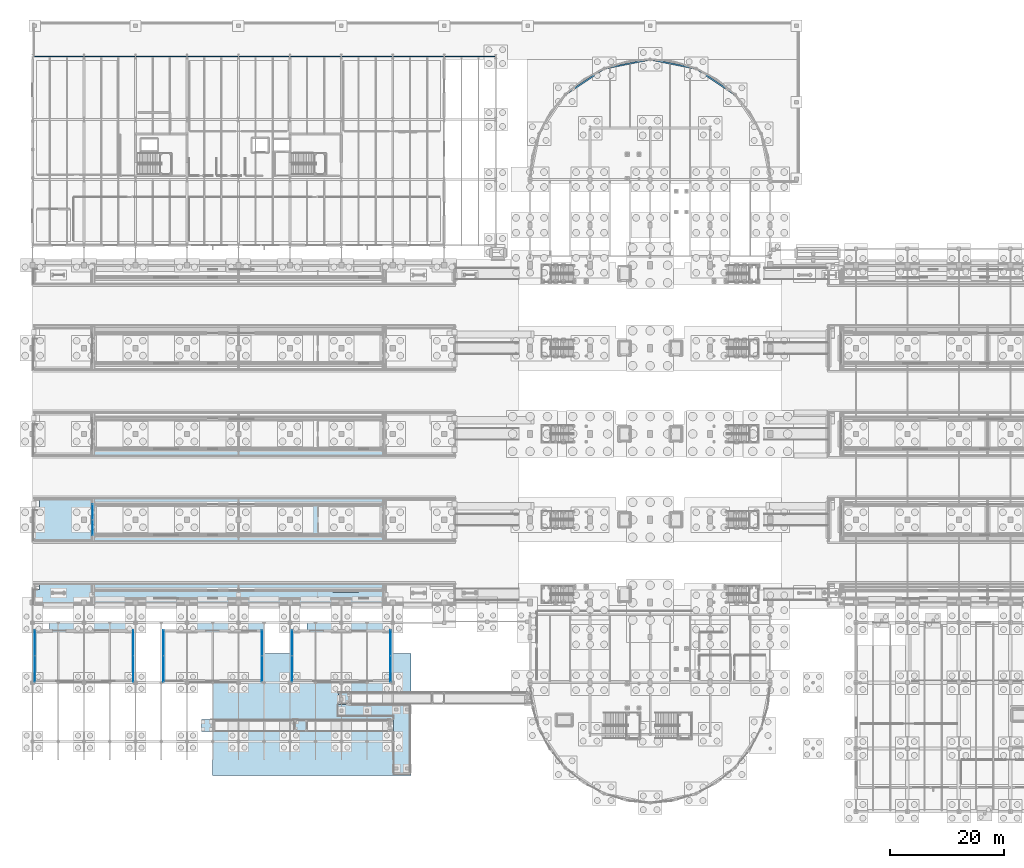
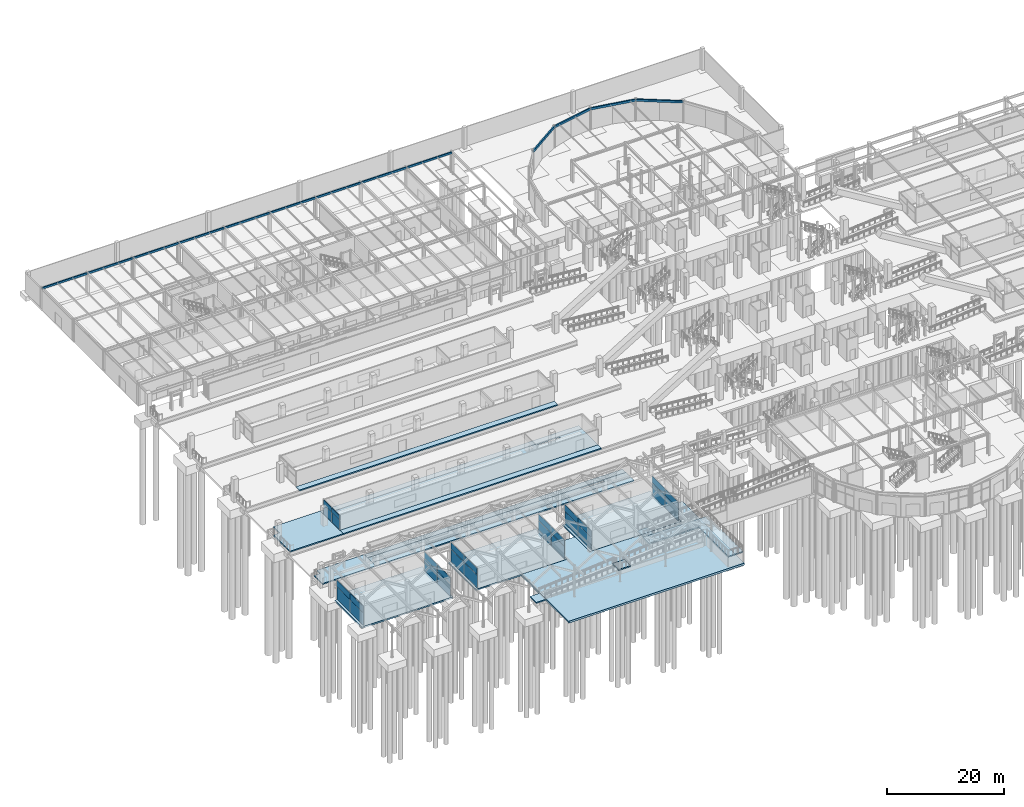
# One storey, part 91 of 160: 28 plates, 17 slabs, 13 beams, 9 elements without a shape of their own.
"""IFC4 building model written with IfcOpenShell, lengths in metres."""

from ifc_helpers import new_model, si_unit, direction, frame, origin, origin_2d, place, context, subcontext, project, spatial, polyline, rectangle, hollow_rectangle, outline, extrude, material, layer, layer_set, material_profile, profile_set, type_object, element, aggregate, save


model = new_model("IFC4")

# Units and contexts
model_context = context("Model", 3, precision=1e-05, world=origin(), true_north=direction((0.0, 1.0)))
body_context = subcontext(model_context, "Body", "Model", "MODEL_VIEW")
ifc_project = project(units=[si_unit("LENGTHUNIT", "METRE"), si_unit("AREAUNIT", "SQUARE_METRE"), si_unit("VOLUMEUNIT", "CUBIC_METRE"), si_unit("PLANEANGLEUNIT", "RADIAN"), si_unit("MASSUNIT", "GRAM", prefix="KILO")], contexts=[model_context])

# Site, building, storey
site_placement = place(None, origin())
site = spatial("IfcSite", under=ifc_project, at=site_placement, CompositionType="ELEMENT")
building_placement = place(site_placement, origin())
building = spatial("IfcBuilding", under=site, at=building_placement, Name="Marlcrest Central Station", CompositionType="ELEMENT")
storey_placement = place(building_placement, origin())
storey = spatial("IfcBuildingStorey", under=building, at=storey_placement, Name="L00", CompositionType="ELEMENT", Elevation=0.0)

# Beams
ifc_material_1 = material(Name="Steel S355", Category="steel")
ifc_material_profile_1 = material_profile(ifc_material_1, hollow_rectangle(XDim=0.199951171875, YDim=0.39990234375, WallThickness=0.01611328125, at=origin_2d()), Name="RHS 400x200x16")
ifc_profile_set_1 = profile_set([ifc_material_profile_1], Name="Steel S355")
beam_type_1 = type_object("IfcBeamType", Name="SP-01", PredefinedType="SPANDREL", material=ifc_profile_set_1)
for number, where, z_axis, x_axis, name in (
    (1, (0.050048828125, 132.0, 4.320068359375), (1.0, 0.0, 0.0), (0.0, 1.0, 0.0), "bm-SP-01-L00-00132"),
    (2, (9.050048828125, 132.0, 4.320068359375), (1.0, 0.0, 0.0), (0.0, 1.0, 0.0), "bm-SP-01-L00-00133"),
    (3, (18.050048828125, 132.0, 4.320068359375), (1.0, 0.0, 0.0), (0.0, 1.0, 0.0), "bm-SP-01-L00-00134"),
    (4, (27.050048828125, 132.0, 4.320068359375), (1.0, 0.0, 0.0), (0.0, 1.0, 0.0), "bm-SP-01-L00-00135"),
    (5, (36.050048828125, 132.0, 4.320068359375), (1.0, 0.0, 0.0), (0.0, 1.0, 0.0), "bm-SP-01-L00-00136"),
    (6, (45.050048828125, 132.0, 4.320068359375), (1.0, 0.0, 0.0), (0.0, 1.0, 0.0), "bm-SP-01-L00-00137"),
    (7, (54.050048828125, 132.0, 4.320068359375), (1.0, 0.0, 0.0), (0.0, 1.0, 0.0), "bm-SP-01-L00-00138"),
    (8, (63.050048828125, 132.0, 4.320068359375), (1.0, 0.0, 0.0), (0.0, 1.0, 0.0), "bm-SP-01-L00-00139"),
    (9, (72.050048828125, 132.0, 4.320068359375), (1.0, 0.0, 0.0), (0.0, 1.0, 0.0), "bm-SP-01-L00-00218"),
):
    element("IfcBeam", number, at=place(storey_placement, frame(where, z_axis=z_axis, x_axis=x_axis)), inside=storey, type_object=beam_type_1, Name=name, PredefinedType="SPANDREL", context=body_context, shape_type="SweptSolid", body=[
        extrude(hollow_rectangle(XDim=0.199951171875, YDim=0.39990234375, WallThickness=0.01611328125, at=origin_2d()), origin(), (0.0, 0.0, 1.0), 8.89990234375),
    ])
ifc_material_profile_2 = material_profile(ifc_material_1, hollow_rectangle(XDim=0.25, YDim=0.449951171875, WallThickness=0.01611328125, at=origin_2d()), Name="RHS 450x250x16")
ifc_profile_set_2 = profile_set([ifc_material_profile_2], Name="Steel S355")
beam_type_2 = type_object("IfcBeamType", Name="SP-02", PredefinedType="SPANDREL", material=ifc_profile_set_2)
beam_1_placement = place(storey_placement, frame((93.15087890625, 125.34912109375, 4.294921875), z_axis=(0.831508991937, 0.55551129271, 0.0), x_axis=(-0.55551129271, 0.831508991937, 0.0)))
element("IfcBeam", 10, at=beam_1_placement, inside=storey, type_object=beam_type_2, Name="bm-SP-02-L00-01420", PredefinedType="SPANDREL", context=body_context, shape_type="SweptSolid", body=[
    extrude(hollow_rectangle(XDim=0.25, YDim=0.449951171875, WallThickness=0.01611328125, at=origin_2d()), origin(), (0.0, 0.0, 1.0), 8.19384765625),
])
for number, where, z_axis, x_axis, name in (
    (11, (99.964111328125, 129.90087890625, 4.294921875), (0.980769316421, 0.19517056122, 0.0), (-0.19517056122, 0.980769316421, 0.0), "bm-SP-02-L00-01421"),
    (12, (108.0, 131.5, 4.294921875), (0.980769316421, -0.19517056122, 0.0), (0.19517056122, 0.980769316421, 0.0), "bm-SP-02-L00-01422"),
):
    element("IfcBeam", number, at=place(storey_placement, frame(where, z_axis=z_axis, x_axis=x_axis)), inside=storey, type_object=beam_type_2, Name=name, PredefinedType="SPANDREL", context=body_context, shape_type="SweptSolid", body=[
        extrude(hollow_rectangle(XDim=0.25, YDim=0.449951171875, WallThickness=0.01611328125, at=origin_2d()), origin(), (0.0, 0.0, 1.0), 8.193359375),
    ])
beam_2_placement = place(storey_placement, frame((116.035888671875, 129.90087890625, 4.294921875), z_axis=(0.831508991937, -0.55551129271, 0.0), x_axis=(0.55551129271, 0.831508991937, 0.0)))
element("IfcBeam", 13, at=beam_2_placement, inside=storey, type_object=beam_type_2, Name="bm-SP-02-L00-01423", PredefinedType="SPANDREL", context=body_context, shape_type="SweptSolid", body=[
    extrude(hollow_rectangle(XDim=0.25, YDim=0.449951171875, WallThickness=0.01611328125, at=origin_2d()), origin(), (0.0, 0.0, 1.0), 8.19384765625),
])

# Slabs
ifc_material_2 = material(Name="Concrete C35/45", Category="concrete")
ifc_layer_1 = layer(ifc_material_2, 0.39990234375, Name="BS-02")
ifc_layer_set_1 = layer_set([ifc_layer_1], Name="Concrete C35/45")
slab_type_1 = type_object("IfcSlabType", Name="BS-02", PredefinedType="BASESLAB", material=ifc_layer_set_1)
slab_1_placement = place(storey_placement, frame((0.0, 0.0, -0.39990234375)))
element("IfcSlab", 14, at=slab_1_placement, inside=storey, type_object=slab_type_1, Name="slab-L00-0028", PredefinedType="BASESLAB", context=body_context, shape_type="SweptSolid", body=[
    extrude(outline(polyline([(66.199951171875, 27.60009765625), (66.199951171875, 6.300048828125), (31.5, 6.300048828125), (31.5, 22.5), (40.5, 22.5), (40.5, 27.60009765625), (45.0, 27.60009765625), (45.0, 22.5), (63.0, 22.5), (63.0, 27.60009765625), (66.199951171875, 27.60009765625)])), origin(), (0.0, 0.0, 1.0), 0.39990234375),
])
ifc_layer_2 = layer(ifc_material_2, 0.300048828125, Name="BS-03")
ifc_layer_set_2 = layer_set([ifc_layer_2], Name="Concrete C35/45")
slab_type_2 = type_object("IfcSlabType", Name="BS-03", PredefinedType="BASESLAB", material=ifc_layer_set_2)
slab_2_placement = place(storey_placement, frame((0.0, 0.0, -0.300048828125)))
element("IfcSlab", 15, at=slab_2_placement, inside=storey, type_object=slab_type_2, Name="slab-L00-0018", PredefinedType="BASESLAB", context=body_context, shape_type="SweptSolid", body=[
    extrude(outline(polyline([(0.0, 22.5), (18.0, 22.5), (18.0, 33.0), (3.0, 33.0), (3.0, 31.800048828125), (0.0, 31.800048828125), (0.0, 22.5)])), origin(), (0.0, 0.0, 1.0), 0.300048828125),
])
slab_3_placement = place(storey_placement, frame((0.0, 0.0, -0.300048828125)))
element("IfcSlab", 16, at=slab_3_placement, inside=storey, type_object=slab_type_2, Name="slab-L00-0019", PredefinedType="BASESLAB", context=body_context, shape_type="SweptSolid", body=[
    extrude(outline(polyline([(22.5, 22.5), (40.5, 22.5), (40.5, 33.0), (25.5, 33.0), (25.5, 31.800048828125), (22.5, 31.800048828125), (22.5, 22.5)])), origin(), (0.0, 0.0, 1.0), 0.300048828125),
])
slab_4_placement = place(storey_placement, frame((0.0, 0.0, -0.300048828125)))
element("IfcSlab", 17, at=slab_4_placement, inside=storey, type_object=slab_type_2, Name="slab-L00-0020", PredefinedType="BASESLAB", context=body_context, shape_type="SweptSolid", body=[
    extrude(outline(polyline([(45.0, 22.5), (63.0, 22.5), (63.0, 33.0), (48.0, 33.0), (48.0, 31.800048828125), (45.0, 31.800048828125), (45.0, 22.5)])), origin(), (0.0, 0.0, 1.0), 0.300048828125),
])

# Curtain wall, plates
ifc_material_3 = material(Name="Anodised aluminium and hurricane laminated glass", Category="aluminium")
ifc_layer_3 = layer(ifc_material_3, 0.179931640625, Name="CW-S1")
ifc_layer_set_3 = layer_set([ifc_layer_3], Name="Anodised aluminium and hurricane laminated glass")
curtain_wall_type = type_object("IfcCurtainWallType", Name="CW-S1", PredefinedType="USERDEFINED", material=ifc_layer_set_3)
curtain_wall_1_placement = place(storey_placement, origin())
curtain_wall_1 = element("IfcCurtainWall", 18, at=curtain_wall_1_placement, inside=storey, type_object=curtain_wall_type, Name="cw-L00-0173", ObjectType="STICK_CURTAIN_WALL", PredefinedType="USERDEFINED")
ifc_material_4 = material(Name="Hurricane laminated solar-control glass", Category="glass")
ifc_layer_4 = layer(ifc_material_4, 0.031982421875, Name="CP-01")
ifc_layer_set_4 = layer_set([ifc_layer_4], Name="Hurricane laminated solar-control glass")
plate_type_1 = type_object("IfcPlateType", Name="CP-01", PredefinedType="CURTAIN_PANEL", material=ifc_layer_set_4)
plate_1_placement = place(storey_placement, frame((10.5, 49.625, 0.9951171875), z_axis=(0.0, 0.0, 1.0), x_axis=(0.0, 1.0, 0.0)))
plate_1 = element("IfcPlate", 19, at=plate_1_placement, type_object=plate_type_1, Name="cw-L00-0173-cp-lo-0", PredefinedType="CURTAIN_PANEL", context=body_context, shape_type="SweptSolid", body=[
    extrude(rectangle(XDim=2.68408203125, YDim=0.031982421875, at=origin_2d()), origin(), (0.0, 0.0, 1.0), 1.949951171875),
])
plate_2_placement = place(storey_placement, frame((10.5, 52.375, 0.9951171875), z_axis=(0.0, 0.0, 1.0), x_axis=(0.0, 1.0, 0.0)))
plate_2 = element("IfcPlate", 20, at=plate_2_placement, type_object=plate_type_1, Name="cw-L00-0173-cp-lo-1", PredefinedType="CURTAIN_PANEL", context=body_context, shape_type="SweptSolid", body=[
    extrude(rectangle(XDim=2.68408203125, YDim=0.031982421875, at=origin_2d()), origin(), (0.0, 0.0, 1.0), 1.949951171875),
])

curtain_wall_2_placement = place(storey_placement, origin())
curtain_wall_2 = element("IfcCurtainWall", 21, at=curtain_wall_2_placement, inside=storey, type_object=curtain_wall_type, Name="cw-L00-0143", ObjectType="STICK_CURTAIN_WALL", PredefinedType="USERDEFINED")
ifc_layer_5 = layer(ifc_material_4, 0.035888671875, Name="CP-02")
ifc_layer_set_5 = layer_set([ifc_layer_5], Name="Hurricane laminated solar-control glass")
plate_type_2 = type_object("IfcPlateType", Name="CP-02", PredefinedType="CURTAIN_PANEL", material=ifc_layer_set_5)
plate_3_placement = place(storey_placement, frame((0.39990234375, 24.925048828125, 0.080078125), z_axis=(0.0, 0.0, 1.0), x_axis=(0.0, 1.0, 0.0)))
plate_3 = element("IfcPlate", 22, at=plate_3_placement, type_object=plate_type_2, Name="cw-L00-0143-cp-lo-0", PredefinedType="CURTAIN_PANEL", context=body_context, shape_type="SweptSolid", body=[
    extrude(rectangle(XDim=4.48388671875, YDim=0.035888671875, at=origin_2d()), origin(), (0.0, 0.0, 1.0), 2.610107421875),
])
plate_4_placement = place(storey_placement, frame((0.39990234375, 29.47509765625, 0.080078125), z_axis=(0.0, 0.0, 1.0), x_axis=(0.0, 1.0, 0.0)))
plate_4 = element("IfcPlate", 23, at=plate_4_placement, type_object=plate_type_2, Name="cw-L00-0143-cp-lo-1", PredefinedType="CURTAIN_PANEL", context=body_context, shape_type="SweptSolid", body=[
    extrude(rectangle(XDim=4.48388671875, YDim=0.035888671875, at=origin_2d()), origin(), (0.0, 0.0, 1.0), 2.610107421875),
])

curtain_wall_3_placement = place(storey_placement, origin())
curtain_wall_3 = element("IfcCurtainWall", 24, at=curtain_wall_3_placement, inside=storey, type_object=curtain_wall_type, Name="cw-L00-0144", ObjectType="STICK_CURTAIN_WALL", PredefinedType="USERDEFINED")
plate_5_placement = place(storey_placement, frame((17.60009765625, 29.47509765625, 0.080078125), z_axis=(0.0, 0.0, 1.0), x_axis=(0.0, -1.0, 0.0)))
plate_5 = element("IfcPlate", 25, at=plate_5_placement, type_object=plate_type_2, Name="cw-L00-0144-cp-lo-0", PredefinedType="CURTAIN_PANEL", context=body_context, shape_type="SweptSolid", body=[
    extrude(rectangle(XDim=4.48388671875, YDim=0.035888671875, at=origin_2d()), origin(), (0.0, 0.0, 1.0), 2.610107421875),
])
plate_6_placement = place(storey_placement, frame((17.60009765625, 24.925048828125, 0.080078125), z_axis=(0.0, 0.0, 1.0), x_axis=(0.0, -1.0, 0.0)))
plate_6 = element("IfcPlate", 26, at=plate_6_placement, type_object=plate_type_2, Name="cw-L00-0144-cp-lo-1", PredefinedType="CURTAIN_PANEL", context=body_context, shape_type="SweptSolid", body=[
    extrude(rectangle(XDim=4.48388671875, YDim=0.035888671875, at=origin_2d()), origin(), (0.0, 0.0, 1.0), 2.610107421875),
])

curtain_wall_4_placement = place(storey_placement, origin())
curtain_wall_4 = element("IfcCurtainWall", 27, at=curtain_wall_4_placement, inside=storey, type_object=curtain_wall_type, Name="cw-L00-0145", ObjectType="STICK_CURTAIN_WALL", PredefinedType="USERDEFINED")
plate_7_placement = place(storey_placement, frame((22.89990234375, 24.925048828125, 0.080078125), z_axis=(0.0, 0.0, 1.0), x_axis=(0.0, 1.0, 0.0)))
plate_7 = element("IfcPlate", 28, at=plate_7_placement, type_object=plate_type_2, Name="cw-L00-0145-cp-lo-0", PredefinedType="CURTAIN_PANEL", context=body_context, shape_type="SweptSolid", body=[
    extrude(rectangle(XDim=4.48388671875, YDim=0.035888671875, at=origin_2d()), origin(), (0.0, 0.0, 1.0), 2.610107421875),
])
plate_8_placement = place(storey_placement, frame((22.89990234375, 29.47509765625, 0.080078125), z_axis=(0.0, 0.0, 1.0), x_axis=(0.0, 1.0, 0.0)))
plate_8 = element("IfcPlate", 29, at=plate_8_placement, type_object=plate_type_2, Name="cw-L00-0145-cp-lo-1", PredefinedType="CURTAIN_PANEL", context=body_context, shape_type="SweptSolid", body=[
    extrude(rectangle(XDim=4.48388671875, YDim=0.035888671875, at=origin_2d()), origin(), (0.0, 0.0, 1.0), 2.610107421875),
])

curtain_wall_5_placement = place(storey_placement, origin())
curtain_wall_5 = element("IfcCurtainWall", 30, at=curtain_wall_5_placement, inside=storey, type_object=curtain_wall_type, Name="cw-L00-0146", ObjectType="STICK_CURTAIN_WALL", PredefinedType="USERDEFINED")
plate_9_placement = place(storey_placement, frame((40.10009765625, 29.47509765625, 0.080078125), z_axis=(0.0, 0.0, 1.0), x_axis=(0.0, -1.0, 0.0)))
plate_9 = element("IfcPlate", 31, at=plate_9_placement, type_object=plate_type_2, Name="cw-L00-0146-cp-lo-0", PredefinedType="CURTAIN_PANEL", context=body_context, shape_type="SweptSolid", body=[
    extrude(rectangle(XDim=4.48388671875, YDim=0.035888671875, at=origin_2d()), origin(), (0.0, 0.0, 1.0), 2.610107421875),
])
plate_10_placement = place(storey_placement, frame((40.10009765625, 24.925048828125, 0.080078125), z_axis=(0.0, 0.0, 1.0), x_axis=(0.0, -1.0, 0.0)))
plate_10 = element("IfcPlate", 32, at=plate_10_placement, type_object=plate_type_2, Name="cw-L00-0146-cp-lo-1", PredefinedType="CURTAIN_PANEL", context=body_context, shape_type="SweptSolid", body=[
    extrude(rectangle(XDim=4.48388671875, YDim=0.035888671875, at=origin_2d()), origin(), (0.0, 0.0, 1.0), 2.610107421875),
])

curtain_wall_6_placement = place(storey_placement, origin())
curtain_wall_6 = element("IfcCurtainWall", 33, at=curtain_wall_6_placement, inside=storey, type_object=curtain_wall_type, Name="cw-L00-0147", ObjectType="STICK_CURTAIN_WALL", PredefinedType="USERDEFINED")
plate_11_placement = place(storey_placement, frame((45.39990234375, 24.925048828125, 0.080078125), z_axis=(0.0, 0.0, 1.0), x_axis=(0.0, 1.0, 0.0)))
plate_11 = element("IfcPlate", 34, at=plate_11_placement, type_object=plate_type_2, Name="cw-L00-0147-cp-lo-0", PredefinedType="CURTAIN_PANEL", context=body_context, shape_type="SweptSolid", body=[
    extrude(rectangle(XDim=4.48388671875, YDim=0.035888671875, at=origin_2d()), origin(), (0.0, 0.0, 1.0), 2.610107421875),
])
plate_12_placement = place(storey_placement, frame((45.39990234375, 29.47509765625, 0.080078125), z_axis=(0.0, 0.0, 1.0), x_axis=(0.0, 1.0, 0.0)))
plate_12 = element("IfcPlate", 35, at=plate_12_placement, type_object=plate_type_2, Name="cw-L00-0147-cp-lo-1", PredefinedType="CURTAIN_PANEL", context=body_context, shape_type="SweptSolid", body=[
    extrude(rectangle(XDim=4.48388671875, YDim=0.035888671875, at=origin_2d()), origin(), (0.0, 0.0, 1.0), 2.610107421875),
])

curtain_wall_7_placement = place(storey_placement, origin())
curtain_wall_7 = element("IfcCurtainWall", 36, at=curtain_wall_7_placement, inside=storey, type_object=curtain_wall_type, Name="cw-L00-0148", ObjectType="STICK_CURTAIN_WALL", PredefinedType="USERDEFINED")
plate_13_placement = place(storey_placement, frame((62.60009765625, 29.47509765625, 0.080078125), z_axis=(0.0, 0.0, 1.0), x_axis=(0.0, -1.0, 0.0)))
plate_13 = element("IfcPlate", 37, at=plate_13_placement, type_object=plate_type_2, Name="cw-L00-0148-cp-lo-0", PredefinedType="CURTAIN_PANEL", context=body_context, shape_type="SweptSolid", body=[
    extrude(rectangle(XDim=4.48388671875, YDim=0.035888671875, at=origin_2d()), origin(), (0.0, 0.0, 1.0), 2.610107421875),
])
plate_14_placement = place(storey_placement, frame((62.60009765625, 24.925048828125, 0.080078125), z_axis=(0.0, 0.0, 1.0), x_axis=(0.0, -1.0, 0.0)))
plate_14 = element("IfcPlate", 38, at=plate_14_placement, type_object=plate_type_2, Name="cw-L00-0148-cp-lo-1", PredefinedType="CURTAIN_PANEL", context=body_context, shape_type="SweptSolid", body=[
    extrude(rectangle(XDim=4.48388671875, YDim=0.035888671875, at=origin_2d()), origin(), (0.0, 0.0, 1.0), 2.610107421875),
])

# Plate
ifc_material_5 = material(Name="Insulated bronze-anodised aluminium spandrel panel", Category="aluminium")
ifc_layer_6 = layer(ifc_material_5, 0.06005859375, Name="CP-04")
ifc_layer_set_6 = layer_set([ifc_layer_6], Name="Insulated bronze-anodised aluminium spandrel panel")
plate_type_3 = type_object("IfcPlateType", Name="CP-04", PredefinedType="CURTAIN_PANEL", material=ifc_layer_set_6)
plate_15_placement = place(storey_placement, frame((17.60009765625, 29.47509765625, 2.77001953125), z_axis=(0.0, 0.0, 1.0), x_axis=(0.0, -1.0, 0.0)))
plate_15 = element("IfcPlate", 39, at=plate_15_placement, type_object=plate_type_3, Name="cw-L00-0144-cp-hi-0", PredefinedType="CURTAIN_PANEL", context=body_context, shape_type="SweptSolid", body=[
    extrude(rectangle(XDim=4.48388671875, YDim=0.06005859375, at=origin_2d()), origin(), (0.0, 0.0, 1.0), 1.35009765625),
])

plate_16_placement = place(storey_placement, frame((17.60009765625, 24.925048828125, 2.77001953125), z_axis=(0.0, 0.0, 1.0), x_axis=(0.0, -1.0, 0.0)))
plate_16 = element("IfcPlate", 40, at=plate_16_placement, type_object=plate_type_3, Name="cw-L00-0144-cp-hi-1", PredefinedType="CURTAIN_PANEL", context=body_context, shape_type="SweptSolid", body=[
    extrude(rectangle(XDim=4.48388671875, YDim=0.06005859375, at=origin_2d()), origin(), (0.0, 0.0, 1.0), 1.35009765625),
])

aggregate(curtain_wall_3, [plate_5, plate_15, plate_6, plate_16])

ifc_layer_7 = layer(ifc_material_5, 0.050048828125, Name="CP-05")
ifc_layer_set_7 = layer_set([ifc_layer_7], Name="Insulated bronze-anodised aluminium spandrel panel")
plate_type_4 = type_object("IfcPlateType", Name="CP-05", PredefinedType="CURTAIN_PANEL", material=ifc_layer_set_7)
plate_17_placement = place(storey_placement, frame((22.89990234375, 24.925048828125, 2.77001953125), z_axis=(0.0, 0.0, 1.0), x_axis=(0.0, 1.0, 0.0)))
plate_17 = element("IfcPlate", 41, at=plate_17_placement, type_object=plate_type_4, Name="cw-L00-0145-cp-hi-0", PredefinedType="CURTAIN_PANEL", context=body_context, shape_type="SweptSolid", body=[
    extrude(rectangle(XDim=4.48388671875, YDim=0.050048828125, at=origin_2d()), origin(), (0.0, 0.0, 1.0), 1.35009765625),
])

plate_18_placement = place(storey_placement, frame((22.89990234375, 29.47509765625, 2.77001953125), z_axis=(0.0, 0.0, 1.0), x_axis=(0.0, 1.0, 0.0)))
plate_18 = element("IfcPlate", 42, at=plate_18_placement, type_object=plate_type_4, Name="cw-L00-0145-cp-hi-1", PredefinedType="CURTAIN_PANEL", context=body_context, shape_type="SweptSolid", body=[
    extrude(rectangle(XDim=4.48388671875, YDim=0.050048828125, at=origin_2d()), origin(), (0.0, 0.0, 1.0), 1.35009765625),
])

aggregate(curtain_wall_4, [plate_7, plate_17, plate_8, plate_18])

ifc_material_6 = material(Name="Insulated acoustic spandrel panel")
ifc_layer_8 = layer(ifc_material_6, 0.074951171875, Name="CP-06")
ifc_layer_set_8 = layer_set([ifc_layer_8], Name="Insulated acoustic spandrel panel")
plate_type_5 = type_object("IfcPlateType", Name="CP-06", PredefinedType="CURTAIN_PANEL", material=ifc_layer_set_8)
plate_19_placement = place(storey_placement, frame((40.10009765625, 29.47509765625, 2.77001953125), z_axis=(0.0, 0.0, 1.0), x_axis=(0.0, -1.0, 0.0)))
plate_19 = element("IfcPlate", 43, at=plate_19_placement, type_object=plate_type_5, Name="cw-L00-0146-cp-hi-0", PredefinedType="CURTAIN_PANEL", context=body_context, shape_type="SweptSolid", body=[
    extrude(rectangle(XDim=4.48388671875, YDim=0.074951171875, at=origin_2d()), origin(), (0.0, 0.0, 1.0), 1.35009765625),
])

plate_20_placement = place(storey_placement, frame((40.10009765625, 24.925048828125, 2.77001953125), z_axis=(0.0, 0.0, 1.0), x_axis=(0.0, -1.0, 0.0)))
plate_20 = element("IfcPlate", 44, at=plate_20_placement, type_object=plate_type_5, Name="cw-L00-0146-cp-hi-1", PredefinedType="CURTAIN_PANEL", context=body_context, shape_type="SweptSolid", body=[
    extrude(rectangle(XDim=4.48388671875, YDim=0.074951171875, at=origin_2d()), origin(), (0.0, 0.0, 1.0), 1.35009765625),
])

aggregate(curtain_wall_5, [plate_9, plate_19, plate_10, plate_20])

ifc_material_7 = material(Name="Insulated hurricane-rated spandrel panel")
ifc_layer_9 = layer(ifc_material_7, 0.090087890625, Name="CP-07")
ifc_layer_set_9 = layer_set([ifc_layer_9], Name="Insulated hurricane-rated spandrel panel")
plate_type_6 = type_object("IfcPlateType", Name="CP-07", PredefinedType="CURTAIN_PANEL", material=ifc_layer_set_9)
plate_21_placement = place(storey_placement, frame((45.39990234375, 24.925048828125, 2.77001953125), z_axis=(0.0, 0.0, 1.0), x_axis=(0.0, 1.0, 0.0)))
plate_21 = element("IfcPlate", 45, at=plate_21_placement, type_object=plate_type_6, Name="cw-L00-0147-cp-hi-0", PredefinedType="CURTAIN_PANEL", context=body_context, shape_type="SweptSolid", body=[
    extrude(rectangle(XDim=4.48388671875, YDim=0.090087890625, at=origin_2d()), origin(), (0.0, 0.0, 1.0), 1.35009765625),
])

plate_22_placement = place(storey_placement, frame((45.39990234375, 29.47509765625, 2.77001953125), z_axis=(0.0, 0.0, 1.0), x_axis=(0.0, 1.0, 0.0)))
plate_22 = element("IfcPlate", 46, at=plate_22_placement, type_object=plate_type_6, Name="cw-L00-0147-cp-hi-1", PredefinedType="CURTAIN_PANEL", context=body_context, shape_type="SweptSolid", body=[
    extrude(rectangle(XDim=4.48388671875, YDim=0.090087890625, at=origin_2d()), origin(), (0.0, 0.0, 1.0), 1.35009765625),
])

aggregate(curtain_wall_6, [plate_11, plate_21, plate_12, plate_22])

ifc_material_8 = material(Name="Insulated shadow-box spandrel panel")
ifc_layer_10 = layer(ifc_material_8, 0.10498046875, Name="CP-08")
ifc_layer_set_10 = layer_set([ifc_layer_10], Name="Insulated shadow-box spandrel panel")
plate_type_7 = type_object("IfcPlateType", Name="CP-08", PredefinedType="CURTAIN_PANEL", material=ifc_layer_set_10)
plate_23_placement = place(storey_placement, frame((62.60009765625, 29.47509765625, 2.77001953125), z_axis=(0.0, 0.0, 1.0), x_axis=(0.0, -1.0, 0.0)))
plate_23 = element("IfcPlate", 47, at=plate_23_placement, type_object=plate_type_7, Name="cw-L00-0148-cp-hi-0", PredefinedType="CURTAIN_PANEL", context=body_context, shape_type="SweptSolid", body=[
    extrude(rectangle(XDim=4.48388671875, YDim=0.10498046875, at=origin_2d()), origin(), (0.0, 0.0, 1.0), 1.35009765625),
])

plate_24_placement = place(storey_placement, frame((62.60009765625, 24.925048828125, 2.77001953125), z_axis=(0.0, 0.0, 1.0), x_axis=(0.0, -1.0, 0.0)))
plate_24 = element("IfcPlate", 48, at=plate_24_placement, type_object=plate_type_7, Name="cw-L00-0148-cp-hi-1", PredefinedType="CURTAIN_PANEL", context=body_context, shape_type="SweptSolid", body=[
    extrude(rectangle(XDim=4.48388671875, YDim=0.10498046875, at=origin_2d()), origin(), (0.0, 0.0, 1.0), 1.35009765625),
])

aggregate(curtain_wall_7, [plate_13, plate_23, plate_14, plate_24])

ifc_material_9 = material(Name="Insulated fire-safing spandrel panel")
ifc_layer_11 = layer(ifc_material_9, 0.1201171875, Name="CP-09")
ifc_layer_set_11 = layer_set([ifc_layer_11], Name="Insulated fire-safing spandrel panel")
plate_type_8 = type_object("IfcPlateType", Name="CP-09", PredefinedType="CURTAIN_PANEL", material=ifc_layer_set_11)
plate_25_placement = place(storey_placement, frame((0.39990234375, 24.925048828125, 2.77001953125), z_axis=(0.0, 0.0, 1.0), x_axis=(0.0, 1.0, 0.0)))
plate_25 = element("IfcPlate", 49, at=plate_25_placement, type_object=plate_type_8, Name="cw-L00-0143-cp-hi-0", PredefinedType="CURTAIN_PANEL", context=body_context, shape_type="SweptSolid", body=[
    extrude(rectangle(XDim=4.48388671875, YDim=0.1201171875, at=origin_2d()), origin(), (0.0, 0.0, 1.0), 1.35009765625),
])

plate_26_placement = place(storey_placement, frame((0.39990234375, 29.47509765625, 2.77001953125), z_axis=(0.0, 0.0, 1.0), x_axis=(0.0, 1.0, 0.0)))
plate_26 = element("IfcPlate", 50, at=plate_26_placement, type_object=plate_type_8, Name="cw-L00-0143-cp-hi-1", PredefinedType="CURTAIN_PANEL", context=body_context, shape_type="SweptSolid", body=[
    extrude(rectangle(XDim=4.48388671875, YDim=0.1201171875, at=origin_2d()), origin(), (0.0, 0.0, 1.0), 1.35009765625),
])

aggregate(curtain_wall_2, [plate_3, plate_25, plate_4, plate_26])

plate_27_placement = place(storey_placement, frame((10.5, 49.625, 3.02490234375), z_axis=(0.0, 0.0, 1.0), x_axis=(0.0, 1.0, 0.0)))
plate_27 = element("IfcPlate", 51, at=plate_27_placement, type_object=plate_type_8, Name="cw-L00-0173-cp-hi-0", PredefinedType="CURTAIN_PANEL", context=body_context, shape_type="SweptSolid", body=[
    extrude(rectangle(XDim=2.68408203125, YDim=0.1201171875, at=origin_2d()), origin(), (0.0, 0.0, 1.0), 0.9951171875),
])

plate_28_placement = place(storey_placement, frame((10.5, 52.375, 3.02490234375), z_axis=(0.0, 0.0, 1.0), x_axis=(0.0, 1.0, 0.0)))
plate_28 = element("IfcPlate", 52, at=plate_28_placement, type_object=plate_type_8, Name="cw-L00-0173-cp-hi-1", PredefinedType="CURTAIN_PANEL", context=body_context, shape_type="SweptSolid", body=[
    extrude(rectangle(XDim=2.68408203125, YDim=0.1201171875, at=origin_2d()), origin(), (0.0, 0.0, 1.0), 0.9951171875),
])

aggregate(curtain_wall_1, [plate_1, plate_27, plate_2, plate_28])

# Slab
ifc_layer_12 = layer(ifc_material_2, 0.25, Name="LS-02")
ifc_layer_set_12 = layer_set([ifc_layer_12], Name="Concrete C35/45")
slab_type_3 = type_object("IfcSlabType", Name="LS-02", PredefinedType="LANDING", material=ifc_layer_set_12)
slab_5_placement = place(storey_placement, frame((0.0, 0.0, 2.14990234375)))
element("IfcSlab", 53, at=slab_5_placement, inside=storey, type_object=slab_type_3, Name="slab-L00-0027", PredefinedType="LANDING", context=body_context, shape_type="SweptSolid", body=[
    extrude(outline(polyline([(63.1201171875, 6.5), (66.050048828125, 6.5), (66.050048828125, 18.699951171875), (53.300048828125, 18.699951171875), (53.300048828125, 16.60009765625), (63.1201171875, 16.60009765625), (63.1201171875, 6.5)])), origin(), (0.0, 0.0, 1.0), 0.25),
])

# Ramp, slabs
ramp_type = type_object("IfcRampType", Name="RP-01", PredefinedType="STRAIGHT_RUN_RAMP", material=ifc_material_2)
ramp_1_placement = place(storey_placement, origin())
ramp_1 = element("IfcRamp", 54, at=ramp_1_placement, inside=storey, type_object=ramp_type, Name="RMP-01", PredefinedType="STRAIGHT_RUN_RAMP")
slab_6_placement = place(storey_placement, frame((0.0, 0.0, -0.25)))
slab_6 = element("IfcSlab", 55, at=slab_6_placement, type_object=slab_type_3, Name="ramp-01-ld-1", PredefinedType="LANDING", context=body_context, shape_type="SweptSolid", body=[
    extrude(outline(polyline([(29.5, 13.949951171875), (31.449951171875, 13.949951171875), (31.449951171875, 16.050048828125), (29.5, 16.050048828125), (29.5, 13.949951171875)])), origin(), (0.0, 0.0, 1.0), 0.25),
])
slab_7_placement = place(storey_placement, frame((0.0, 0.0, 0.949951171875)))
slab_7 = element("IfcSlab", 56, at=slab_7_placement, type_object=slab_type_3, Name="ramp-01-ld-2", PredefinedType="LANDING", context=body_context, shape_type="SweptSolid", body=[
    extrude(outline(polyline([(45.75, 13.949951171875), (48.050048828125, 13.949951171875), (48.050048828125, 16.050048828125), (45.75, 16.050048828125), (45.75, 13.949951171875)])), origin(), (0.0, 0.0, 1.0), 0.25),
])
aggregate(ramp_1, [slab_6, slab_7])

# Ramp, slab
ramp_2_placement = place(storey_placement, origin())
ramp_2 = element("IfcRamp", 57, at=ramp_2_placement, inside=storey, type_object=ramp_type, Name="RMP-02", PredefinedType="STRAIGHT_RUN_RAMP")
slab_8_placement = place(storey_placement, frame((0.0, 0.0, 2.14990234375)))
slab_8 = element("IfcSlab", 58, at=slab_8_placement, type_object=slab_type_3, Name="ramp-02-ld-1", PredefinedType="LANDING", context=body_context, shape_type="SweptSolid", body=[
    extrude(outline(polyline([(53.5, 18.75), (55.449951171875, 18.75), (55.449951171875, 20.85009765625), (53.5, 20.85009765625), (53.5, 18.75)])), origin(), (0.0, 0.0, 1.0), 0.25),
])
aggregate(ramp_2, [slab_8])

# Slabs
ifc_layer_13 = layer(ifc_material_2, 0.25, Name="PS-01")
ifc_layer_set_13 = layer_set([ifc_layer_13], Name="Concrete C35/45")
slab_type_4 = type_object("IfcSlabType", Name="PS-01", PredefinedType="FLOOR", material=ifc_layer_set_13)
slab_9_placement = place(storey_placement, frame((0.0, 0.0, 0.6650390625)))
element("IfcSlab", 59, at=slab_9_placement, inside=storey, type_object=slab_type_4, Name="slab-L00-0030", PredefinedType="FLOOR", context=body_context, shape_type="SweptSolid", body=[
    extrude(outline(polyline([(0.0, 36.0), (10.5, 36.0), (10.5, 39.89990234375), (1.199951171875, 39.89990234375), (1.199951171875, 38.80810546875), (0.0, 38.80810546875), (0.0, 36.0)])), origin(), (0.0, 0.0, 1.0), 0.25),
])
slab_10_placement = place(storey_placement, frame((0.0, 0.0, 0.6650390625)))
element("IfcSlab", 60, at=slab_10_placement, inside=storey, type_object=slab_type_4, Name="slab-L00-0031", PredefinedType="FLOOR", context=body_context, shape_type="SweptSolid", body=[
    extrude(outline(polyline([(61.5, 37.14990234375), (61.5, 36.0), (10.5, 36.0), (10.5, 37.14990234375), (61.5, 37.14990234375)])), origin(), (0.0, 0.0, 1.0), 0.25),
])
slab_11_placement = place(storey_placement, frame((0.0, 0.0, 0.6650390625)))
element("IfcSlab", 61, at=slab_11_placement, inside=storey, type_object=slab_type_4, Name="slab-L00-0032", PredefinedType="FLOOR", context=body_context, shape_type="SweptSolid", body=[
    extrude(outline(polyline([(61.5, 39.89990234375), (61.5, 38.75), (10.5, 38.75), (10.5, 39.89990234375), (61.5, 39.89990234375)])), origin(), (0.0, 0.0, 1.0), 0.25),
])
slab_12_placement = place(storey_placement, frame((0.0, 0.0, 0.6650390625)))
element("IfcSlab", 62, at=slab_12_placement, inside=storey, type_object=slab_type_4, Name="slab-L00-0041", PredefinedType="FLOOR", context=body_context, shape_type="SweptSolid", body=[
    extrude(outline(polyline([(0.0, 47.10009765625), (10.5, 47.10009765625), (10.5, 54.89990234375), (1.199951171875, 54.89990234375), (1.199951171875, 52.716064453125), (0.0, 52.716064453125), (0.0, 47.10009765625)])), origin(), (0.0, 0.0, 1.0), 0.25),
])
slab_13_placement = place(storey_placement, frame((0.0, 0.0, 0.6650390625)))
element("IfcSlab", 63, at=slab_13_placement, inside=storey, type_object=slab_type_4, Name="slab-L00-0042", PredefinedType="FLOOR", context=body_context, shape_type="SweptSolid", body=[
    extrude(outline(polyline([(61.5, 48.25), (61.5, 47.10009765625), (10.5, 47.10009765625), (10.5, 48.25), (61.5, 48.25)])), origin(), (0.0, 0.0, 1.0), 0.25),
])
slab_14_placement = place(storey_placement, frame((0.0, 0.0, 0.6650390625)))
element("IfcSlab", 64, at=slab_14_placement, inside=storey, type_object=slab_type_4, Name="slab-L00-0043", PredefinedType="FLOOR", context=body_context, shape_type="SweptSolid", body=[
    extrude(outline(polyline([(61.5, 54.89990234375), (61.5, 53.75), (10.5, 53.75), (10.5, 54.89990234375), (61.5, 54.89990234375)])), origin(), (0.0, 0.0, 1.0), 0.25),
])
slab_15_placement = place(storey_placement, frame((0.0, 0.0, 0.6650390625)))
element("IfcSlab", 65, at=slab_15_placement, inside=storey, type_object=slab_type_4, Name="slab-L00-0053", PredefinedType="FLOOR", context=body_context, shape_type="SweptSolid", body=[
    extrude(outline(polyline([(61.5, 63.25), (61.5, 62.10009765625), (10.5, 62.10009765625), (10.5, 63.25), (61.5, 63.25)])), origin(), (0.0, 0.0, 1.0), 0.25),
])
ifc_layer_14 = layer(ifc_material_2, 0.239990234375, Name="PS-02")
ifc_layer_set_14 = layer_set([ifc_layer_14], Name="Concrete C35/45")
slab_type_5 = type_object("IfcSlabType", Name="PS-02", PredefinedType="FLOOR", material=ifc_layer_set_14)
slab_16_placement = place(storey_placement, frame((0.0, 0.0, 0.675048828125)))
element("IfcSlab", 66, at=slab_16_placement, inside=storey, type_object=slab_type_5, Name="slab-L00-0033", PredefinedType="FLOOR", context=body_context, shape_type="SweptSolid", body=[
    extrude(outline(polyline([(10.5, 37.14990234375), (10.5, 38.75), (52.5, 38.75), (52.5, 38.25), (57.0, 38.25), (57.0, 38.75), (61.5, 38.75), (61.5, 37.14990234375), (10.5, 37.14990234375)])), origin(), (0.0, 0.0, 1.0), 0.239990234375),
])
slab_17_placement = place(storey_placement, frame((0.0, 0.0, 0.675048828125)))
element("IfcSlab", 67, at=slab_17_placement, inside=storey, type_object=slab_type_5, Name="slab-L00-0044", PredefinedType="FLOOR", context=body_context, shape_type="SweptSolid", body=[
    extrude(outline(polyline([(10.5, 48.25), (10.5, 53.75), (52.5, 53.75), (52.5, 53.25), (57.0, 53.25), (57.0, 53.75), (61.5, 53.75), (61.5, 48.25), (10.5, 48.25)])), origin(), (0.0, 0.0, 1.0), 0.239990234375),
])

save(model, "model.ifc")
